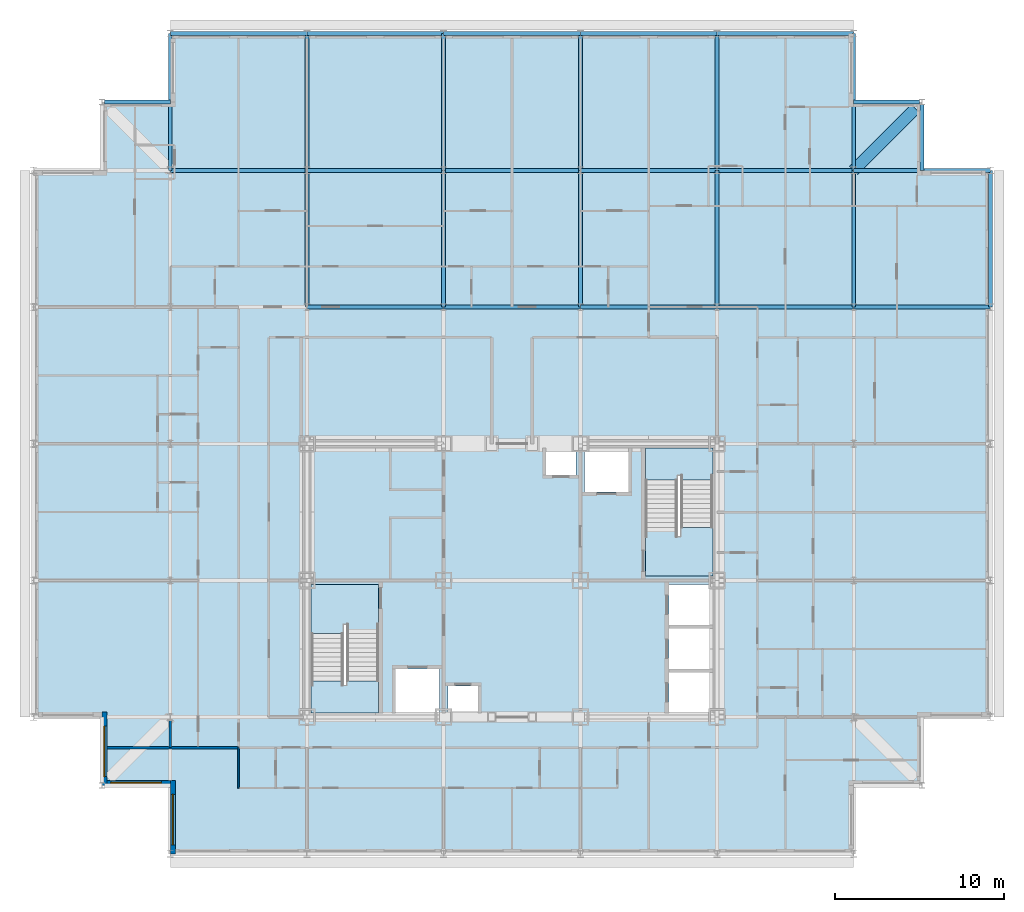
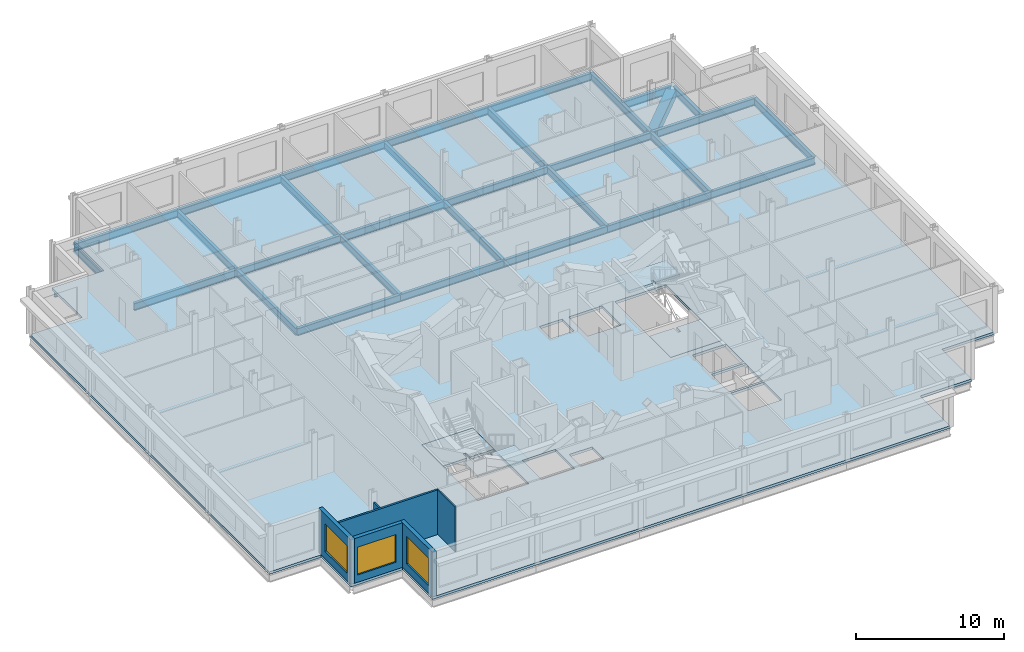
# One storey, part 6 of 15: 32 beams, 6 walls, 5 slabs, 3 windows, 3 openings, 2 elements without a shape of their own.
"""IFC4 building model written with IfcOpenShell, lengths in metres."""

from ifc_helpers import new_model, si_unit, direction, frame, frame_2d, origin, origin_2d, place, context, subcontext, project, spatial, polyline, rectangle, hollow_rectangle, i_section, outline, extrude, material, layer, layer_set, material_profile, profile_set, type_object, element, fill, aggregate, save


model = new_model("IFC4")

# Units and contexts
model_context = context("Model", 3, precision=1e-05, world=origin(), true_north=direction((0.0, 1.0)))
body_context = subcontext(model_context, "Body", "Model", "MODEL_VIEW")
ifc_project = project(units=[si_unit("LENGTHUNIT", "METRE"), si_unit("AREAUNIT", "SQUARE_METRE"), si_unit("VOLUMEUNIT", "CUBIC_METRE"), si_unit("PLANEANGLEUNIT", "RADIAN"), si_unit("MASSUNIT", "GRAM", prefix="KILO")], contexts=[model_context])

# Site, building, storey
site_placement = place(None, origin())
site = spatial("IfcSite", under=ifc_project, at=site_placement, CompositionType="ELEMENT")
building_placement = place(site_placement, origin())
building = spatial("IfcBuilding", under=site, at=building_placement, Name="Kopane Lantern Tower", CompositionType="ELEMENT")
storey_placement = place(building_placement, frame((0.0, 0.0, 285.300048828125)))
storey = spatial("IfcBuildingStorey", under=building, at=storey_placement, Name="L73", CompositionType="ELEMENT", Elevation=285.300048828125)

# Beams
ifc_material_1 = material(Name="Steel S355JR", Category="steel")
ifc_material_profile_1 = material_profile(ifc_material_1, hollow_rectangle(XDim=0.699951171875, YDim=0.699951171875, WallThickness=0.06005859375, at=origin_2d()), Name="BOX 700x700x60")
ifc_profile_set_1 = profile_set([ifc_material_profile_1], Name="Steel S355JR")
beam_type_1 = type_object("IfcBeamType", Name="CORNER TIE BEAM BOX 700x700x60", PredefinedType="BEAM", material=ifc_profile_set_1)
beam_1_placement = place(storey_placement, frame((52.25244140625, 60.3525390625, -0.56005859375), z_axis=(-0.707083148333, -0.70713041325, 0.0), x_axis=(0.70713041325, -0.707083148333, 0.0)))
element("IfcBeam", 1, at=beam_1_placement, inside=storey, type_object=beam_type_1, Name="Corner Tie Beam L73", PredefinedType="BEAM", context=body_context, shape_type="SweptSolid", body=[
    extrude(hollow_rectangle(XDim=0.699951171875, YDim=0.699951171875, WallThickness=0.06005859375, at=origin_2d()), origin(), (0.0, 0.0, 1.0), 5.165283203125),
])
ifc_material_2 = material(Name="Steel S355JR", Category="steel")
ifc_material_profile_2 = material_profile(ifc_material_2, i_section(OverallWidth=0.22900390625, OverallDepth=0.6123046875, WebThickness=0.011962890625, FlangeThickness=0.01953125, FilletRadius=0.0126953125, at=origin_2d()), Name="UB 610x229x125")
ifc_profile_set_2 = profile_set([ifc_material_profile_2], Name="Steel S355JR")
beam_type_2 = type_object("IfcBeamType", Name="EDGE BEAM UB 610x229x125", PredefinedType="BEAM", material=ifc_profile_set_2)
beam_2_placement = place(storey_placement, frame((4.20361328125, 60.75, -0.51611328125), z_axis=(1.0, 0.0, 0.0), x_axis=(0.0, 1.0, 0.0)))
element("IfcBeam", 2, at=beam_2_placement, inside=storey, type_object=beam_type_2, Name="Edge Beam L73", PredefinedType="BEAM", context=body_context, shape_type="SweptSolid", body=[
    extrude(i_section(OverallWidth=0.22900390625, OverallDepth=0.6123046875, WebThickness=0.011962890625, FlangeThickness=0.01953125, FilletRadius=0.0126953125, at=origin_2d()), origin(), (0.0, 0.0, 1.0), 3.896484375),
])
for number, where, z_axis, x_axis, name in (
    (3, (52.496337890625, 60.75, -0.51611328125), (-1.0, 0.0, 0.0), (0.0, -1.0, 0.0), "Edge Beam L73"),
    (4, (52.64990234375, 60.59619140625, -0.51611328125), (0.0, -1.0, 0.0), (1.0, 0.0, 0.0), "Edge Beam L73"),
):
    element("IfcBeam", number, at=place(storey_placement, frame(where, z_axis=z_axis, x_axis=x_axis)), inside=storey, type_object=beam_type_2, Name=name, PredefinedType="BEAM", context=body_context, shape_type="SweptSolid", body=[
        extrude(i_section(OverallWidth=0.22900390625, OverallDepth=0.6123046875, WebThickness=0.011962890625, FlangeThickness=0.01953125, FilletRadius=0.0126953125, at=origin_2d()), origin(), (0.0, 0.0, 1.0), 3.896240234375),
    ])
ifc_material_3 = material(Name="Steel S355JR", Category="steel")
ifc_material_profile_3 = material_profile(ifc_material_3, i_section(OverallWidth=0.22900390625, OverallDepth=0.6123046875, WebThickness=0.011962890625, FlangeThickness=0.01953125, FilletRadius=0.0126953125, at=origin_2d()), Name="UB 610x229x125")
ifc_profile_set_3 = profile_set([ifc_material_profile_3], Name="Steel S355JR")
beam_type_3 = type_object("IfcBeamType", Name="GIRDER UB 610x229x125", PredefinedType="BEAM", material=ifc_profile_set_3)
beam_3_placement = place(storey_placement, frame((8.10009765625, 56.699951171875, -0.51611328125), z_axis=(0.0, 1.0, 0.0), x_axis=(-1.0, 0.0, 0.0)))
element("IfcBeam", 5, at=beam_3_placement, inside=storey, type_object=beam_type_3, Name="Girder L73", PredefinedType="BEAM", context=body_context, shape_type="SweptSolid", body=[
    extrude(i_section(OverallWidth=0.22900390625, OverallDepth=0.6123046875, WebThickness=0.011962890625, FlangeThickness=0.01953125, FilletRadius=0.0126953125, at=origin_2d()), origin(), (0.0, 0.0, 1.0), 8.10009765625),
])
for number, where, z_axis, x_axis, name in (
    (6, (8.10009765625, 56.699951171875, -0.51611328125), (1.0, 0.0, 0.0), (0.0, 1.0, 0.0), "Girder L73"),
    (7, (8.10009765625, 64.800048828125, -0.51611328125), (1.0, 0.0, 0.0), (0.0, 1.0, 0.0), "Girder L73"),
    (8, (16.199951171875, 48.60009765625, -0.51611328125), (0.0, 1.0, 0.0), (-1.0, 0.0, 0.0), "Girder L73"),
):
    element("IfcBeam", number, at=place(storey_placement, frame(where, z_axis=z_axis, x_axis=x_axis)), inside=storey, type_object=beam_type_3, Name=name, PredefinedType="BEAM", context=body_context, shape_type="SweptSolid", body=[
        extrude(i_section(OverallWidth=0.22900390625, OverallDepth=0.6123046875, WebThickness=0.011962890625, FlangeThickness=0.01953125, FilletRadius=0.0126953125, at=origin_2d()), origin(), (0.0, 0.0, 1.0), 8.099853515625),
    ])
for number, where, z_axis, x_axis, name in (
    (9, (16.199951171875, 48.60009765625, -0.51611328125), (1.0, 0.0, 0.0), (0.0, 1.0, 0.0), "Girder L73"),
    (10, (16.199951171875, 56.699951171875, -0.51611328125), (0.0, 1.0, 0.0), (-1.0, 0.0, 0.0), "Girder L73"),
    (11, (16.199951171875, 56.699951171875, -0.51611328125), (1.0, 0.0, 0.0), (0.0, 1.0, 0.0), "Girder L73"),
    (12, (16.199951171875, 64.800048828125, -0.51611328125), (1.0, 0.0, 0.0), (0.0, 1.0, 0.0), "Girder L73"),
):
    element("IfcBeam", number, at=place(storey_placement, frame(where, z_axis=z_axis, x_axis=x_axis)), inside=storey, type_object=beam_type_3, Name=name, PredefinedType="BEAM", context=body_context, shape_type="SweptSolid", body=[
        extrude(i_section(OverallWidth=0.22900390625, OverallDepth=0.6123046875, WebThickness=0.011962890625, FlangeThickness=0.01953125, FilletRadius=0.0126953125, at=origin_2d()), origin(), (0.0, 0.0, 1.0), 8.10009765625),
    ])
for number, where, z_axis, x_axis, name in (
    (13, (24.300048828125, 48.60009765625, -0.51611328125), (0.0, 1.0, 0.0), (-1.0, 0.0, 0.0), "Girder L73"),
    (14, (24.300048828125, 48.60009765625, -0.51611328125), (1.0, 0.0, 0.0), (0.0, 1.0, 0.0), "Girder L73"),
):
    element("IfcBeam", number, at=place(storey_placement, frame(where, z_axis=z_axis, x_axis=x_axis)), inside=storey, type_object=beam_type_3, Name=name, PredefinedType="BEAM", context=body_context, shape_type="SweptSolid", body=[
        extrude(i_section(OverallWidth=0.22900390625, OverallDepth=0.6123046875, WebThickness=0.011962890625, FlangeThickness=0.01953125, FilletRadius=0.0126953125, at=origin_2d()), origin(), (0.0, 0.0, 1.0), 8.099853515625),
    ])
beam_4_placement = place(storey_placement, frame((24.300048828125, 56.699951171875, -0.51611328125), z_axis=(0.0, 1.0, 0.0), x_axis=(-1.0, 0.0, 0.0)))
element("IfcBeam", 15, at=beam_4_placement, inside=storey, type_object=beam_type_3, Name="Girder L73", PredefinedType="BEAM", context=body_context, shape_type="SweptSolid", body=[
    extrude(i_section(OverallWidth=0.22900390625, OverallDepth=0.6123046875, WebThickness=0.011962890625, FlangeThickness=0.01953125, FilletRadius=0.0126953125, at=origin_2d()), origin(), (0.0, 0.0, 1.0), 8.10009765625),
])
for number, where, z_axis, x_axis, name in (
    (16, (24.300048828125, 56.699951171875, -0.51611328125), (1.0, 0.0, 0.0), (0.0, 1.0, 0.0), "Girder L73"),
    (17, (24.300048828125, 64.800048828125, -0.51611328125), (1.0, 0.0, 0.0), (0.0, 1.0, 0.0), "Girder L73"),
    (18, (32.39990234375, 48.60009765625, -0.51611328125), (0.0, 1.0, 0.0), (-1.0, 0.0, 0.0), "Girder L73"),
):
    element("IfcBeam", number, at=place(storey_placement, frame(where, z_axis=z_axis, x_axis=x_axis)), inside=storey, type_object=beam_type_3, Name=name, PredefinedType="BEAM", context=body_context, shape_type="SweptSolid", body=[
        extrude(i_section(OverallWidth=0.22900390625, OverallDepth=0.6123046875, WebThickness=0.011962890625, FlangeThickness=0.01953125, FilletRadius=0.0126953125, at=origin_2d()), origin(), (0.0, 0.0, 1.0), 8.099853515625),
    ])
for number, where, z_axis, x_axis, name in (
    (19, (32.39990234375, 48.60009765625, -0.51611328125), (1.0, 0.0, 0.0), (0.0, 1.0, 0.0), "Girder L73"),
    (20, (32.39990234375, 56.699951171875, -0.51611328125), (0.0, 1.0, 0.0), (-1.0, 0.0, 0.0), "Girder L73"),
    (21, (32.39990234375, 56.699951171875, -0.51611328125), (1.0, 0.0, 0.0), (0.0, 1.0, 0.0), "Girder L73"),
    (22, (32.39990234375, 64.800048828125, -0.51611328125), (1.0, 0.0, 0.0), (0.0, 1.0, 0.0), "Girder L73"),
):
    element("IfcBeam", number, at=place(storey_placement, frame(where, z_axis=z_axis, x_axis=x_axis)), inside=storey, type_object=beam_type_3, Name=name, PredefinedType="BEAM", context=body_context, shape_type="SweptSolid", body=[
        extrude(i_section(OverallWidth=0.22900390625, OverallDepth=0.6123046875, WebThickness=0.011962890625, FlangeThickness=0.01953125, FilletRadius=0.0126953125, at=origin_2d()), origin(), (0.0, 0.0, 1.0), 8.10009765625),
    ])
beam_5_placement = place(storey_placement, frame((40.5, 48.60009765625, -0.51611328125), z_axis=(0.0, 1.0, 0.0), x_axis=(-1.0, 0.0, 0.0)))
element("IfcBeam", 23, at=beam_5_placement, inside=storey, type_object=beam_type_3, Name="Girder L73", PredefinedType="BEAM", context=body_context, shape_type="SweptSolid", body=[
    extrude(i_section(OverallWidth=0.22900390625, OverallDepth=0.6123046875, WebThickness=0.011962890625, FlangeThickness=0.01953125, FilletRadius=0.0126953125, at=origin_2d()), origin(), (0.0, 0.0, 1.0), 8.099853515625),
])
for number, where, z_axis, x_axis, name in (
    (24, (40.5, 48.60009765625, -0.51611328125), (1.0, 0.0, 0.0), (0.0, 1.0, 0.0), "Girder L73"),
    (25, (40.5, 56.699951171875, -0.51611328125), (0.0, 1.0, 0.0), (-1.0, 0.0, 0.0), "Girder L73"),
    (26, (40.5, 56.699951171875, -0.51611328125), (1.0, 0.0, 0.0), (0.0, 1.0, 0.0), "Girder L73"),
    (27, (40.5, 64.800048828125, -0.51611328125), (1.0, 0.0, 0.0), (0.0, 1.0, 0.0), "Girder L73"),
):
    element("IfcBeam", number, at=place(storey_placement, frame(where, z_axis=z_axis, x_axis=x_axis)), inside=storey, type_object=beam_type_3, Name=name, PredefinedType="BEAM", context=body_context, shape_type="SweptSolid", body=[
        extrude(i_section(OverallWidth=0.22900390625, OverallDepth=0.6123046875, WebThickness=0.011962890625, FlangeThickness=0.01953125, FilletRadius=0.0126953125, at=origin_2d()), origin(), (0.0, 0.0, 1.0), 8.10009765625),
    ])
for number, where, z_axis, x_axis, name in (
    (28, (48.60009765625, 48.60009765625, -0.51611328125), (0.0, 1.0, 0.0), (-1.0, 0.0, 0.0), "Girder L73"),
    (29, (48.60009765625, 48.60009765625, -0.51611328125), (1.0, 0.0, 0.0), (0.0, 1.0, 0.0), "Girder L73"),
):
    element("IfcBeam", number, at=place(storey_placement, frame(where, z_axis=z_axis, x_axis=x_axis)), inside=storey, type_object=beam_type_3, Name=name, PredefinedType="BEAM", context=body_context, shape_type="SweptSolid", body=[
        extrude(i_section(OverallWidth=0.22900390625, OverallDepth=0.6123046875, WebThickness=0.011962890625, FlangeThickness=0.01953125, FilletRadius=0.0126953125, at=origin_2d()), origin(), (0.0, 0.0, 1.0), 8.099853515625),
    ])
beam_6_placement = place(storey_placement, frame((48.60009765625, 56.699951171875, -0.51611328125), z_axis=(0.0, 1.0, 0.0), x_axis=(-1.0, 0.0, 0.0)))
element("IfcBeam", 30, at=beam_6_placement, inside=storey, type_object=beam_type_3, Name="Girder L73", PredefinedType="BEAM", context=body_context, shape_type="SweptSolid", body=[
    extrude(i_section(OverallWidth=0.22900390625, OverallDepth=0.6123046875, WebThickness=0.011962890625, FlangeThickness=0.01953125, FilletRadius=0.0126953125, at=origin_2d()), origin(), (0.0, 0.0, 1.0), 8.10009765625),
])
for number, where, z_axis, x_axis, name in (
    (31, (48.60009765625, 56.699951171875, -0.51611328125), (1.0, 0.0, 0.0), (0.0, 1.0, 0.0), "Girder L73"),
    (32, (56.699951171875, 48.60009765625, -0.51611328125), (0.0, 1.0, 0.0), (-1.0, 0.0, 0.0), "Girder L73"),
):
    element("IfcBeam", number, at=place(storey_placement, frame(where, z_axis=z_axis, x_axis=x_axis)), inside=storey, type_object=beam_type_3, Name=name, PredefinedType="BEAM", context=body_context, shape_type="SweptSolid", body=[
        extrude(i_section(OverallWidth=0.22900390625, OverallDepth=0.6123046875, WebThickness=0.011962890625, FlangeThickness=0.01953125, FilletRadius=0.0126953125, at=origin_2d()), origin(), (0.0, 0.0, 1.0), 8.099853515625),
    ])

# Slab
ifc_material_4 = material(Name="Concrete C40/50", Category="concrete")
ifc_layer_1 = layer(ifc_material_4, 0.2099609375)
ifc_layer_set_1 = layer_set([ifc_layer_1], Name="SLAB 210 COMPOSITE")
slab_type_1 = type_object("IfcSlabType", Name="SLAB 210 COMPOSITE", PredefinedType="FLOOR", material=ifc_layer_set_1)
slab_1_placement = place(storey_placement, frame((0.0, 0.0, -0.2099609375)))
element("IfcSlab", 33, at=slab_1_placement, inside=storey, type_object=slab_type_1, Name="Floor slab L73", PredefinedType="FLOOR", context=body_context, shape_type="SweptSolid", body=[
    extrude(outline(polyline([(8.10009765625, 16.199951171875), (48.60009765625, 16.199951171875), (48.60009765625, 20.25), (52.64990234375, 20.25), (52.64990234375, 24.300048828125), (56.699951171875, 24.300048828125), (56.699951171875, 56.699951171875), (52.64990234375, 56.699951171875), (52.64990234375, 60.75), (48.60009765625, 60.75), (48.60009765625, 64.800048828125), (8.10009765625, 64.800048828125), (8.10009765625, 60.75), (4.050048828125, 60.75), (4.050048828125, 56.699951171875), (0.0, 56.699951171875), (0.0, 24.300048828125), (4.050048828125, 24.300048828125), (4.050048828125, 20.25), (8.10009765625, 20.25), (8.10009765625, 16.199951171875)]), holes=[polyline([(16.449951171875, 24.550048828125), (20.449951171875, 24.550048828125), (20.449951171875, 32.14990234375), (16.449951171875, 32.14990234375), (16.449951171875, 24.550048828125)]), polyline([(36.25, 32.64990234375), (40.25, 32.64990234375), (40.25, 40.25), (36.25, 40.25), (36.25, 32.64990234375)]), polyline([(37.64990234375, 24.550048828125), (40.25, 24.550048828125), (40.25, 26.949951171875), (37.64990234375, 26.949951171875), (37.64990234375, 24.550048828125)]), polyline([(37.64990234375, 27.14990234375), (40.25, 27.14990234375), (40.25, 29.550048828125), (37.64990234375, 29.550048828125), (37.64990234375, 27.14990234375)]), polyline([(37.64990234375, 29.75), (40.25, 29.75), (40.25, 32.14990234375), (37.64990234375, 32.14990234375), (37.64990234375, 29.75)]), polyline([(21.449951171875, 24.550048828125), (24.050048828125, 24.550048828125), (24.050048828125, 27.14990234375), (21.449951171875, 27.14990234375), (21.449951171875, 24.550048828125)]), polyline([(32.64990234375, 37.64990234375), (35.25, 37.64990234375), (35.25, 40.25), (32.64990234375, 40.25), (32.64990234375, 37.64990234375)]), polyline([(24.550048828125, 24.550048828125), (26.35009765625, 24.550048828125), (26.35009765625, 26.14990234375), (24.550048828125, 26.14990234375), (24.550048828125, 24.550048828125)]), polyline([(30.35009765625, 38.64990234375), (32.14990234375, 38.64990234375), (32.14990234375, 40.25), (30.35009765625, 40.25), (30.35009765625, 38.64990234375)])]), origin(), (0.0, 0.0, 1.0), 0.2099609375),
])

# Stair, slabs
ifc_material_5 = material(Name="Steel S355JR", Category="steel")
stair_type = type_object("IfcStairType", Name="EXIT STAIR 1900 HALF TURN", PredefinedType="HALF_TURN_STAIR", material=ifc_material_5)
stair_1_placement = place(storey_placement, origin())
stair_1 = element("IfcStair", 34, at=stair_1_placement, inside=storey, type_object=stair_type, Name="Exit stair ST1 L73", PredefinedType="HALF_TURN_STAIR")
ifc_material_6 = material(Name="Concrete C40/50", Category="concrete")
ifc_layer_2 = layer(ifc_material_6, 0.199951171875)
ifc_layer_set_2 = layer_set([ifc_layer_2], Name="STAIR LANDING 200")
slab_type_2 = type_object("IfcSlabType", Name="STAIR LANDING 200", PredefinedType="LANDING", material=ifc_layer_set_2)
slab_2_placement = place(storey_placement, frame((0.0, 0.0, -0.199951171875)))
slab_2 = element("IfcSlab", 35, at=slab_2_placement, type_object=slab_type_2, Name="ST1 landing 1", PredefinedType="LANDING", context=body_context, shape_type="SweptSolid", body=[
    extrude(outline(polyline([(18.35009765625, 29.81005859375), (18.550048828125, 29.81005859375), (18.550048828125, 29.25), (20.449951171875, 29.25), (20.449951171875, 32.14990234375), (16.449951171875, 32.14990234375), (16.449951171875, 29.25), (18.35009765625, 29.25), (18.35009765625, 29.81005859375)])), origin(), (0.0, 0.0, 1.0), 0.199951171875),
])
slab_3_placement = place(storey_placement, frame((0.0, 0.0, 1.834716796875)))
slab_3 = element("IfcSlab", 36, at=slab_3_placement, type_object=slab_type_2, Name="ST1 landing 2", PredefinedType="LANDING", context=body_context, shape_type="SweptSolid", body=[
    extrude(outline(polyline([(20.449951171875, 26.449951171875), (18.550048828125, 26.449951171875), (18.550048828125, 26.169921875), (18.35009765625, 26.169921875), (18.35009765625, 26.449951171875), (16.449951171875, 26.449951171875), (16.449951171875, 24.550048828125), (20.449951171875, 24.550048828125), (20.449951171875, 26.449951171875)])), origin(), (0.0, 0.0, 1.0), 0.199951171875),
])
aggregate(stair_1, [slab_2, slab_3])

stair_2_placement = place(storey_placement, origin())
stair_2 = element("IfcStair", 37, at=stair_2_placement, inside=storey, type_object=stair_type, Name="Exit stair ST2 L73", PredefinedType="HALF_TURN_STAIR")
slab_4_placement = place(storey_placement, frame((0.0, 0.0, -0.199951171875)))
slab_4 = element("IfcSlab", 38, at=slab_4_placement, type_object=slab_type_2, Name="ST2 landing 1", PredefinedType="LANDING", context=body_context, shape_type="SweptSolid", body=[
    extrude(outline(polyline([(40.25, 35.550048828125), (38.35009765625, 35.550048828125), (38.35009765625, 34.989990234375), (38.14990234375, 34.989990234375), (38.14990234375, 35.550048828125), (36.25, 35.550048828125), (36.25, 32.64990234375), (40.25, 32.64990234375), (40.25, 35.550048828125)])), origin(), (0.0, 0.0, 1.0), 0.199951171875),
])
slab_5_placement = place(storey_placement, frame((0.0, 0.0, 1.834716796875)))
slab_5 = element("IfcSlab", 39, at=slab_5_placement, type_object=slab_type_2, Name="ST2 landing 2", PredefinedType="LANDING", context=body_context, shape_type="SweptSolid", body=[
    extrude(outline(polyline([(38.14990234375, 38.6298828125), (38.35009765625, 38.6298828125), (38.35009765625, 38.35009765625), (40.25, 38.35009765625), (40.25, 40.25), (36.25, 40.25), (36.25, 38.35009765625), (38.14990234375, 38.35009765625), (38.14990234375, 38.6298828125)])), origin(), (0.0, 0.0, 1.0), 0.199951171875),
])
aggregate(stair_2, [slab_4, slab_5])

# Walls
ifc_material_7 = material(Name="Gypsum board on steel studs", Category="steel")
ifc_layer_3 = layer(ifc_material_7, 0.1201171875)
ifc_layer_set_3 = layer_set([ifc_layer_3], Name="APARTMENT INTERNAL WALL 120")
wall_type_1 = type_object("IfcWallType", Name="APARTMENT INTERNAL WALL 120", PredefinedType="PARTITIONING", material=ifc_layer_set_3)
wall_1_placement = place(storey_placement, frame((8.10009765625, 22.5, 0.0), z_axis=(0.0, 0.0, 1.0), x_axis=(0.0, 1.0, 0.0)))
element("IfcWall", 40, at=wall_1_placement, inside=storey, type_object=wall_type_1, Name="Apartment Internal Wall 120 L73", PredefinedType="PARTITIONING", context=body_context, shape_type="SweptSolid", body=[
    extrude(rectangle(XDim=1.596923828125, YDim=0.1201171875, at=frame_2d((0.79833984375, 0.0))), origin(), (0.0, 0.0, 1.0), 3.07763671875),
])
ifc_material_8 = material(Name="Moisture-resistant board on steel studs", Category="steel")
ifc_layer_4 = layer(ifc_material_8, 0.10009765625)
ifc_layer_set_4 = layer_set([ifc_layer_4], Name="BATHROOM WALL 100")
wall_type_2 = type_object("IfcWallType", Name="BATHROOM WALL 100", PredefinedType="PARTITIONING", material=ifc_layer_set_4)
wall_2_placement = place(storey_placement, frame((12.14990234375, 22.5, 0.0), z_axis=(0.0, 0.0, 1.0), x_axis=(0.0, -1.0, 0.0)))
element("IfcWall", 41, at=wall_2_placement, inside=storey, type_object=wall_type_2, Name="Bathroom Wall 100 L73", PredefinedType="PARTITIONING", context=body_context, shape_type="SweptSolid", body=[
    extrude(rectangle(XDim=2.39990234375, YDim=0.10009765625, at=frame_2d((1.199951171875, 0.0))), origin(), (0.0, 0.0, 1.0), 3.68994140625),
])
ifc_material_9 = material(Name="Gypsum board on steel studs", Category="steel")
ifc_layer_5 = layer(ifc_material_9, 0.14990234375)
ifc_layer_set_5 = layer_set([ifc_layer_5], Name="DEMISING WALL 150 EI 60")
wall_type_3 = type_object("IfcWallType", Name="DEMISING WALL 150 EI 60", PredefinedType="PARTITIONING", material=ifc_layer_set_5)
wall_3_placement = place(storey_placement, frame((4.35009765625, 22.5, 0.0), z_axis=(0.0, 0.0, 1.0), x_axis=(1.0, 0.0, 0.0)))
element("IfcWall", 42, at=wall_3_placement, inside=storey, type_object=wall_type_3, Name="Demising Wall 150 Ei 60 L73", PredefinedType="PARTITIONING", context=body_context, shape_type="SweptSolid", body=[
    extrude(rectangle(XDim=7.7998046875, YDim=0.14990234375, at=frame_2d((3.89990234375, 0.0))), origin(), (0.0, 0.0, 1.0), 3.68994140625),
])

# Wall, opening, window
ifc_material_10 = material(Name="Terracotta rainscreen on light steel framing", Category="masonry")
ifc_layer_6 = layer(ifc_material_10, 0.300048828125)
ifc_layer_set_6 = layer_set([ifc_layer_6], Name="EXTERNAL WALL EW1 300 TERRACOTTA")
wall_type_4 = type_object("IfcWallType", Name="EXTERNAL WALL EW1 300 TERRACOTTA", PredefinedType="SOLIDWALL", material=ifc_layer_set_6)
wall_4_placement = place(storey_placement, frame((4.199951171875, 24.60009765625, 0.0), z_axis=(0.0, 0.0, 1.0), x_axis=(0.0, -1.0, 0.0)))
wall_4 = element("IfcWall", 43, at=wall_4_placement, inside=storey, type_object=wall_type_4, Name="External wall W L73", PredefinedType="SOLIDWALL", context=body_context, shape_type="SweptSolid", body=[
    extrude(rectangle(XDim=4.35009765625, YDim=0.300048828125, at=frame_2d((2.175048828125, 0.0))), origin(), (0.0, 0.0, 1.0), 3.68994140625),
])
opening_1_placement = place(wall_4_placement, frame((0.824951171875, 0.0, 0.60009765625)))
opening_1 = element("IfcOpeningElement", 44, at=opening_1_placement, cuts=wall_4, Name="Opening WR300230", PredefinedType="OPENING", context=body_context, shape_type="SweptSolid", body=[
    extrude(rectangle(XDim=3.0, YDim=2.300048828125, at=frame_2d((1.5, 1.14990234375))), frame((0.0, 0.159912109375, 0.0), z_axis=(0.0, -1.0, 0.0), x_axis=(1.0, 0.0, 0.0)), (0.0, 0.0, 1.0), 0.320068359375),
])
ifc_material_11 = material(Name="Aluminium and clear glass", Category="aluminium")
window_type = type_object("IfcWindowType", Name="RIBBON WINDOW WR300230 3000x2300", PartitioningType="SINGLE_PANEL", PredefinedType="WINDOW", material=ifc_material_11)
window_1_placement = place(opening_1_placement, origin())
window_1 = element("IfcWindow", 45, at=window_1_placement, inside=storey, type_object=window_type, Name="Window W L73", OverallHeight=2.300048828125, OverallWidth=3.0, PartitioningType="SINGLE_PANEL", PredefinedType="WINDOW", context=body_context, shape_type="SweptSolid", body=[
    extrude(rectangle(XDim=3.0, YDim=2.300048828125, at=frame_2d((1.5, 1.14990234375))), frame((0.0, 0.030029296875, 0.0), z_axis=(0.0, -1.0, 0.0), x_axis=(1.0, 0.0, 0.0)), (0.0, 0.0, 1.0), 0.06005859375),
])
fill(opening_1, window_1)

wall_5_placement = place(storey_placement, frame((4.35009765625, 20.39990234375, 0.0), z_axis=(0.0, 0.0, 1.0), x_axis=(1.0, 0.0, 0.0)))
wall_5 = element("IfcWall", 46, at=wall_5_placement, inside=storey, type_object=wall_type_4, Name="External wall S L73", PredefinedType="SOLIDWALL", context=body_context, shape_type="SweptSolid", body=[
    extrude(rectangle(XDim=3.75, YDim=0.300048828125, at=frame_2d((1.875, 0.0))), origin(), (0.0, 0.0, 1.0), 3.68994140625),
])
opening_2_placement = place(wall_5_placement, frame((0.22509765625, 0.0, 0.60009765625)))
opening_2 = element("IfcOpeningElement", 47, at=opening_2_placement, cuts=wall_5, Name="Opening WR300230", PredefinedType="OPENING", context=body_context, shape_type="SweptSolid", body=[
    extrude(rectangle(XDim=3.0, YDim=2.300048828125, at=frame_2d((1.5, 1.14990234375))), frame((0.0, 0.159912109375, 0.0), z_axis=(0.0, -1.0, 0.0), x_axis=(1.0, 0.0, 0.0)), (0.0, 0.0, 1.0), 0.320068359375),
])
window_2_placement = place(opening_2_placement, origin())
window_2 = element("IfcWindow", 48, at=window_2_placement, inside=storey, type_object=window_type, Name="Window S L73", OverallHeight=2.300048828125, OverallWidth=3.0, PartitioningType="SINGLE_PANEL", PredefinedType="WINDOW", context=body_context, shape_type="SweptSolid", body=[
    extrude(rectangle(XDim=3.0, YDim=2.300048828125, at=frame_2d((1.5, 1.14990234375))), frame((0.0, 0.030029296875, 0.0), z_axis=(0.0, -1.0, 0.0), x_axis=(1.0, 0.0, 0.0)), (0.0, 0.0, 1.0), 0.06005859375),
])
fill(opening_2, window_2)

wall_6_placement = place(storey_placement, frame((8.25, 20.550048828125, 0.0), z_axis=(0.0, 0.0, 1.0), x_axis=(0.0, -1.0, 0.0)))
wall_6 = element("IfcWall", 49, at=wall_6_placement, inside=storey, type_object=wall_type_4, Name="External wall W L73", PredefinedType="SOLIDWALL", context=body_context, shape_type="SweptSolid", body=[
    extrude(rectangle(XDim=4.35009765625, YDim=0.300048828125, at=frame_2d((2.175048828125, 0.0))), origin(), (0.0, 0.0, 1.0), 3.68994140625),
])
opening_3_placement = place(wall_6_placement, frame((0.824951171875, 0.0, 0.60009765625)))
opening_3 = element("IfcOpeningElement", 50, at=opening_3_placement, cuts=wall_6, Name="Opening WR300230", PredefinedType="OPENING", context=body_context, shape_type="SweptSolid", body=[
    extrude(rectangle(XDim=3.0, YDim=2.300048828125, at=frame_2d((1.5, 1.14990234375))), frame((0.0, 0.159912109375, 0.0), z_axis=(0.0, -1.0, 0.0), x_axis=(1.0, 0.0, 0.0)), (0.0, 0.0, 1.0), 0.320068359375),
])
window_3_placement = place(opening_3_placement, origin())
window_3 = element("IfcWindow", 51, at=window_3_placement, inside=storey, type_object=window_type, Name="Window W L73", OverallHeight=2.300048828125, OverallWidth=3.0, PartitioningType="SINGLE_PANEL", PredefinedType="WINDOW", context=body_context, shape_type="SweptSolid", body=[
    extrude(rectangle(XDim=3.0, YDim=2.300048828125, at=frame_2d((1.5, 1.14990234375))), frame((0.0, 0.030029296875, 0.0), z_axis=(0.0, -1.0, 0.0), x_axis=(1.0, 0.0, 0.0)), (0.0, 0.0, 1.0), 0.06005859375),
])
fill(opening_3, window_3)

save(model, "model.ifc")
